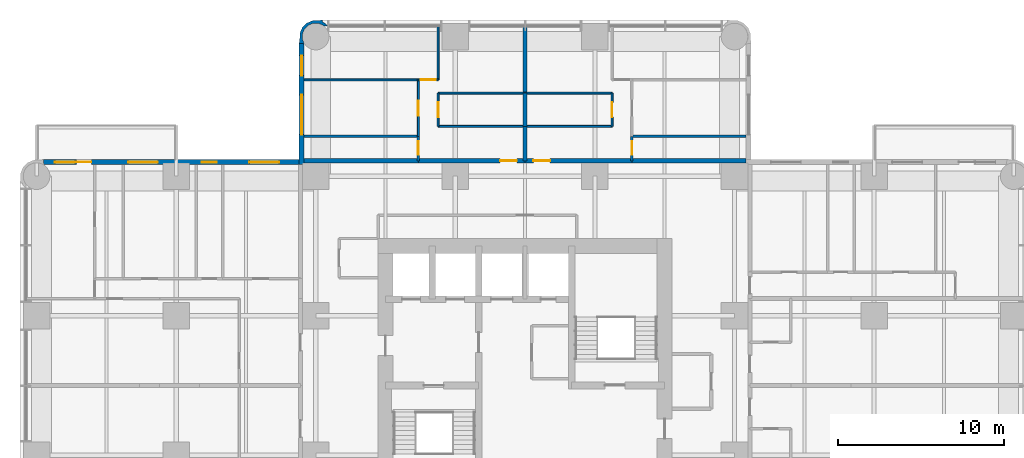
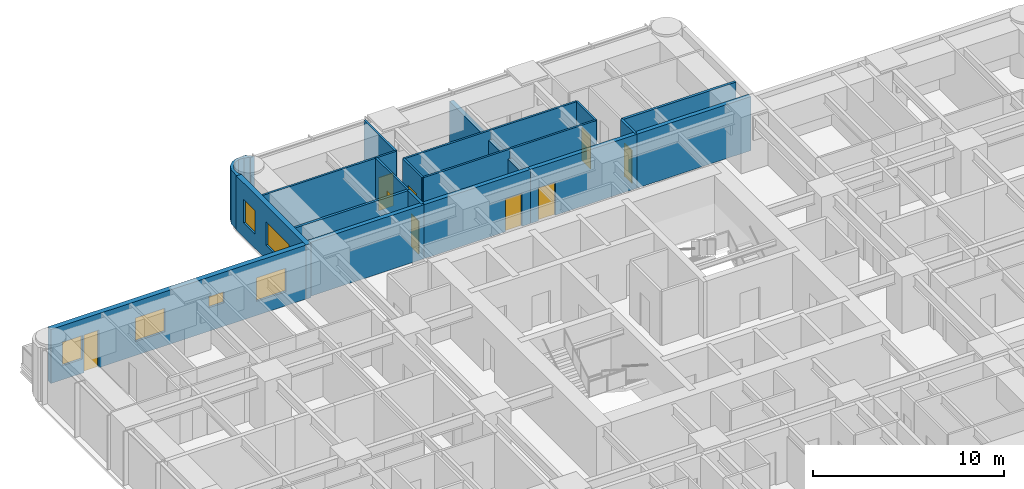
# One storey, part 11 of 14: 24 walls, 9 doors, 6 windows, 15 openings.
"""IFC4 building model written with IfcOpenShell, lengths in metres."""

from ifc_helpers import new_model, si_unit, direction, frame, frame_2d, origin, place, context, subcontext, project, spatial, polyline, rectangle, outline, extrude, material, layer, layer_set, type_object, element, fill, save


model = new_model("IFC4")

# Units and contexts
model_context = context("Model", 3, precision=1e-05, world=origin(), true_north=direction((0.0, 1.0)))
body_context = subcontext(model_context, "Body", "Model", "MODEL_VIEW")
ifc_project = project(units=[si_unit("LENGTHUNIT", "METRE"), si_unit("AREAUNIT", "SQUARE_METRE"), si_unit("VOLUMEUNIT", "CUBIC_METRE"), si_unit("PLANEANGLEUNIT", "RADIAN"), si_unit("MASSUNIT", "GRAM", prefix="KILO")], contexts=[model_context])

# Site, building, storey
site_placement = place(None, origin())
site = spatial("IfcSite", under=ifc_project, at=site_placement, CompositionType="ELEMENT")
building_placement = place(site_placement, origin())
building = spatial("IfcBuilding", under=site, at=building_placement, Name="Torre Alcanfor", CompositionType="ELEMENT")
storey_placement = place(building_placement, frame((0.0, 0.0, 159.300048828125)))
storey = spatial("IfcBuildingStorey", under=building, at=storey_placement, Name="L41", CompositionType="ELEMENT", Elevation=159.300048828125)

# Wall, opening, door
ifc_material_1 = material(Name="Concrete block masonry, hollow blocks NMX-C-404 9 MPa", Category="masonry")
ifc_layer_1 = layer(ifc_material_1, 0.25)
ifc_layer_set_1 = layer_set([ifc_layer_1], Name="Apartment entrance wall 250 EI 60")
wall_type_1 = type_object("IfcWallType", Name="Apartment entrance wall 250 EI 60", PredefinedType="PARTITIONING", material=ifc_layer_set_1)
wall_1_placement = place(storey_placement, frame((22.970947265625, 42.925048828125, 0.0), z_axis=(0.0, 0.0, 1.0), x_axis=(1.0, 0.0, 0.0)))
wall_1 = element("IfcWall", 1, at=wall_1_placement, inside=storey, type_object=wall_type_1, Name="Partition L41-CORR / L41-N1-LIVING", PredefinedType="PARTITIONING", context=body_context, shape_type="SweptSolid", body=[
    extrude(rectangle(XDim=6.428955078125, YDim=0.25, at=frame_2d((3.21435546875, 0.0))), origin(), (0.0, 0.0, 1.0), 3.449951171875),
])
opening_1_placement = place(wall_1_placement, frame((4.928955078125, 0.0, 0.0)))
opening_1 = element("IfcOpeningElement", 2, at=opening_1_placement, cuts=wall_1, Name="Opening D-A1", PredefinedType="OPENING", context=body_context, shape_type="SweptSolid", body=[
    extrude(rectangle(XDim=1.0, YDim=2.10009765625, at=frame_2d((0.5, 1.050048828125))), frame((0.0, 0.135009765625, 0.0), z_axis=(0.0, -1.0, 0.0), x_axis=(1.0, 0.0, 0.0)), (0.0, 0.0, 1.0), 0.27001953125),
])
ifc_material_2 = material(Name="Galvanised steel sheet ASTM A653", Category="steel")
door_type_1 = type_object("IfcDoorType", Name="Apartment entrance door FD60 1000x2100", OperationType="SINGLE_SWING_LEFT", PredefinedType="DOOR", material=ifc_material_2)
door_1_placement = place(opening_1_placement, origin())
door_1 = element("IfcDoor", 3, at=door_1_placement, inside=storey, type_object=door_type_1, Name="Apartment entrance L41-N1", OperationType="SINGLE_SWING_RIGHT", OverallHeight=2.10009765625, OverallWidth=1.0, PredefinedType="DOOR", context=body_context, shape_type="SweptSolid", body=[
    extrude(rectangle(XDim=1.0, YDim=2.10009765625, at=frame_2d((0.5, 1.050048828125))), frame((0.0, 0.02490234375, 0.0), z_axis=(0.0, -1.0, 0.0), x_axis=(1.0, 0.0, 0.0)), (0.0, 0.0, 1.0), 0.050048828125),
])
fill(opening_1, door_1)

# Wall
wall_2_placement = place(storey_placement, frame((16.10009765625, 42.925048828125, 0.0), z_axis=(0.0, 0.0, 1.0), x_axis=(1.0, 0.0, 0.0)))
element("IfcWall", 4, at=wall_2_placement, inside=storey, type_object=wall_type_1, Name="Partition L41-CORR / L41-N1-BATH", PredefinedType="PARTITIONING", context=body_context, shape_type="SweptSolid", body=[
    extrude(rectangle(XDim=6.870849609375, YDim=0.25, at=frame_2d((3.435546875, 0.0))), origin(), (0.0, 0.0, 1.0), 3.449951171875),
])

# Wall, opening, door
wall_3_placement = place(storey_placement, frame((29.39990234375, 42.925048828125, 0.0), z_axis=(0.0, 0.0, 1.0), x_axis=(1.0, 0.0, 0.0)))
wall_3 = element("IfcWall", 5, at=wall_3_placement, inside=storey, type_object=wall_type_1, Name="Partition L41-CORR / L41-N2-LIVING", PredefinedType="PARTITIONING", context=body_context, shape_type="SweptSolid", body=[
    extrude(rectangle(XDim=6.42919921875, YDim=0.25, at=frame_2d((3.214599609375, 0.0))), origin(), (0.0, 0.0, 1.0), 3.449951171875),
])
opening_2_placement = place(wall_3_placement, frame((0.5, 0.0, 0.0)))
opening_2 = element("IfcOpeningElement", 6, at=opening_2_placement, cuts=wall_3, Name="Opening D-A1", PredefinedType="OPENING", context=body_context, shape_type="SweptSolid", body=[
    extrude(rectangle(XDim=1.0, YDim=2.10009765625, at=frame_2d((0.5, 1.050048828125))), frame((0.0, 0.135009765625, 0.0), z_axis=(0.0, -1.0, 0.0), x_axis=(1.0, 0.0, 0.0)), (0.0, 0.0, 1.0), 0.27001953125),
])
door_2_placement = place(opening_2_placement, origin())
door_2 = element("IfcDoor", 7, at=door_2_placement, inside=storey, type_object=door_type_1, Name="Apartment entrance L41-N2", OperationType="SINGLE_SWING_LEFT", OverallHeight=2.10009765625, OverallWidth=1.0, PredefinedType="DOOR", context=body_context, shape_type="SweptSolid", body=[
    extrude(rectangle(XDim=1.0, YDim=2.10009765625, at=frame_2d((0.5, 1.050048828125))), frame((0.0, 0.02490234375, 0.0), z_axis=(0.0, -1.0, 0.0), x_axis=(1.0, 0.0, 0.0)), (0.0, 0.0, 1.0), 0.050048828125),
])
fill(opening_2, door_2)

# Walls
wall_4_placement = place(storey_placement, frame((35.8291015625, 42.925048828125, 0.0), z_axis=(0.0, 0.0, 1.0), x_axis=(1.0, 0.0, 0.0)))
element("IfcWall", 8, at=wall_4_placement, inside=storey, type_object=wall_type_1, Name="Partition L41-CORR / L41-N2-BATH", PredefinedType="PARTITIONING", context=body_context, shape_type="SweptSolid", body=[
    extrude(rectangle(XDim=6.870849609375, YDim=0.25, at=frame_2d((3.435546875, 0.0))), origin(), (0.0, 0.0, 1.0), 3.449951171875),
])
ifc_material_3 = material(Name="Gypsum board on steel studs", Category="steel")
ifc_layer_2 = layer(ifc_material_3, 0.1201171875)
ifc_layer_set_2 = layer_set([ifc_layer_2], Name="Apartment partition 120")
wall_type_2 = type_object("IfcWallType", Name="Apartment partition 120", PredefinedType="PARTITIONING", material=ifc_layer_set_2)
wall_5_placement = place(storey_placement, frame((29.39990234375, 47.0, 0.0), z_axis=(0.0, 0.0, 1.0), x_axis=(-1.0, 0.0, 0.0)))
element("IfcWall", 9, at=wall_5_placement, inside=storey, type_object=wall_type_2, Name="Partition L41-N1-KITCHEN / L41-N1-LIVING", PredefinedType="PARTITIONING", context=body_context, shape_type="SweptSolid", body=[
    extrude(rectangle(XDim=5.22900390625, YDim=0.1201171875, at=frame_2d((2.614501953125, 0.0))), origin(), (0.0, 0.0, 1.0), 3.449951171875),
])

# Wall, opening, door
wall_6_placement = place(storey_placement, frame((24.1708984375, 47.0, 0.0), z_axis=(0.0, 0.0, 1.0), x_axis=(0.0, -1.0, 0.0)))
wall_6 = element("IfcWall", 10, at=wall_6_placement, inside=storey, type_object=wall_type_2, Name="Partition L41-N1-KITCHEN / L41-N1-LIVING", PredefinedType="PARTITIONING", context=body_context, shape_type="SweptSolid", body=[
    extrude(rectangle(XDim=2.0, YDim=0.1201171875, at=frame_2d((1.0, 0.0))), origin(), (0.0, 0.0, 1.0), 3.449951171875),
])
opening_3_placement = place(wall_6_placement, frame((0.550048828125, 0.0, 0.0)))
opening_3 = element("IfcOpeningElement", 11, at=opening_3_placement, cuts=wall_6, Name="Opening D-R1", PredefinedType="OPENING", context=body_context, shape_type="SweptSolid", body=[
    extrude(rectangle(XDim=0.89990234375, YDim=2.10009765625, at=frame_2d((0.449951171875, 1.050048828125))), frame((0.0, 0.070068359375, 0.0), z_axis=(0.0, -1.0, 0.0), x_axis=(1.0, 0.0, 0.0)), (0.0, 0.0, 1.0), 0.14013671875),
])
ifc_material_4 = material(Name="Timber", Category="wood")
door_type_2 = type_object("IfcDoorType", Name="Internal door 900x2100", OperationType="SINGLE_SWING_LEFT", PredefinedType="DOOR", material=ifc_material_4)
door_3_placement = place(opening_3_placement, origin())
door_3 = element("IfcDoor", 12, at=door_3_placement, inside=storey, type_object=door_type_2, Name="Door L41-N1 kitchen", OperationType="SINGLE_SWING_LEFT", OverallHeight=2.10009765625, OverallWidth=0.89990234375, PredefinedType="DOOR", context=body_context, shape_type="SweptSolid", body=[
    extrude(rectangle(XDim=0.89990234375, YDim=2.10009765625, at=frame_2d((0.449951171875, 1.050048828125))), frame((0.0, 0.02490234375, 0.0), z_axis=(0.0, -1.0, 0.0), x_axis=(1.0, 0.0, 0.0)), (0.0, 0.0, 1.0), 0.050048828125),
])
fill(opening_3, door_3)

# Wall
wall_7_placement = place(storey_placement, frame((24.1708984375, 45.0, 0.0), z_axis=(0.0, 0.0, 1.0), x_axis=(1.0, 0.0, 0.0)))
element("IfcWall", 13, at=wall_7_placement, inside=storey, type_object=wall_type_2, Name="Partition L41-N1-KITCHEN / L41-N1-LIVING", PredefinedType="PARTITIONING", context=body_context, shape_type="SweptSolid", body=[
    extrude(rectangle(XDim=5.22900390625, YDim=0.1201171875, at=frame_2d((2.614501953125, 0.0))), origin(), (0.0, 0.0, 1.0), 3.449951171875),
])

# Wall, opening, door
wall_8_placement = place(storey_placement, frame((22.970947265625, 44.39990234375, 0.0), z_axis=(0.0, 0.0, 1.0), x_axis=(0.0, 1.0, 0.0)))
wall_8 = element("IfcWall", 14, at=wall_8_placement, inside=storey, type_object=wall_type_2, Name="Partition L41-N1-LIVING / L41-N1-STUDY", PredefinedType="PARTITIONING", context=body_context, shape_type="SweptSolid", body=[
    extrude(rectangle(XDim=3.400146484375, YDim=0.1201171875, at=frame_2d((1.7001953125, 0.0))), origin(), (0.0, 0.0, 1.0), 3.449951171875),
])
opening_4_placement = place(wall_8_placement, frame((1.25, 0.0, 0.0)))
opening_4 = element("IfcOpeningElement", 15, at=opening_4_placement, cuts=wall_8, Name="Opening D-R1", PredefinedType="OPENING", context=body_context, shape_type="SweptSolid", body=[
    extrude(rectangle(XDim=0.89990234375, YDim=2.10009765625, at=frame_2d((0.449951171875, 1.050048828125))), frame((0.0, 0.070068359375, 0.0), z_axis=(0.0, -1.0, 0.0), x_axis=(1.0, 0.0, 0.0)), (0.0, 0.0, 1.0), 0.14013671875),
])
door_4_placement = place(opening_4_placement, origin())
door_4 = element("IfcDoor", 16, at=door_4_placement, inside=storey, type_object=door_type_2, Name="Door L41-N1 study", OperationType="SINGLE_SWING_LEFT", OverallHeight=2.10009765625, OverallWidth=0.89990234375, PredefinedType="DOOR", context=body_context, shape_type="SweptSolid", body=[
    extrude(rectangle(XDim=0.89990234375, YDim=2.10009765625, at=frame_2d((0.449951171875, 1.050048828125))), frame((0.0, 0.02490234375, 0.0), z_axis=(0.0, -1.0, 0.0), x_axis=(1.0, 0.0, 0.0)), (0.0, 0.0, 1.0), 0.050048828125),
])
fill(opening_4, door_4)

wall_9_placement = place(storey_placement, frame((22.970947265625, 47.800048828125, 0.0), z_axis=(0.0, 0.0, 1.0), x_axis=(1.0, 0.0, 0.0)))
wall_9 = element("IfcWall", 17, at=wall_9_placement, inside=storey, type_object=wall_type_2, Name="Partition L41-N1-LIVING / L41-N1-MASTER", PredefinedType="PARTITIONING", context=body_context, shape_type="SweptSolid", body=[
    extrude(rectangle(XDim=1.199951171875, YDim=0.1201171875, at=frame_2d((0.60009765625, 0.0))), origin(), (0.0, 0.0, 1.0), 3.449951171875),
])
opening_5_placement = place(wall_9_placement, frame((0.14892578125, 0.0, 0.0)))
opening_5 = element("IfcOpeningElement", 18, at=opening_5_placement, cuts=wall_9, Name="Opening D-R1", PredefinedType="OPENING", context=body_context, shape_type="SweptSolid", body=[
    extrude(rectangle(XDim=0.89990234375, YDim=2.10009765625, at=frame_2d((0.449951171875, 1.050048828125))), frame((0.0, 0.070068359375, 0.0), z_axis=(0.0, -1.0, 0.0), x_axis=(1.0, 0.0, 0.0)), (0.0, 0.0, 1.0), 0.14013671875),
])
door_5_placement = place(opening_5_placement, origin())
door_5 = element("IfcDoor", 19, at=door_5_placement, inside=storey, type_object=door_type_2, Name="Door L41-N1 master", OperationType="SINGLE_SWING_RIGHT", OverallHeight=2.10009765625, OverallWidth=0.89990234375, PredefinedType="DOOR", context=body_context, shape_type="SweptSolid", body=[
    extrude(rectangle(XDim=0.89990234375, YDim=2.10009765625, at=frame_2d((0.449951171875, 1.050048828125))), frame((0.0, 0.02490234375, 0.0), z_axis=(0.0, -1.0, 0.0), x_axis=(1.0, 0.0, 0.0)), (0.0, 0.0, 1.0), 0.050048828125),
])
fill(opening_5, door_5)

# Walls
wall_10_placement = place(storey_placement, frame((24.1708984375, 47.800048828125, 0.0), z_axis=(0.0, 0.0, 1.0), x_axis=(0.0, 1.0, 0.0)))
element("IfcWall", 20, at=wall_10_placement, inside=storey, type_object=wall_type_2, Name="Partition L41-N1-LIVING / L41-N1-MASTER", PredefinedType="PARTITIONING", context=body_context, shape_type="SweptSolid", body=[
    extrude(rectangle(XDim=3.25, YDim=0.1201171875, at=frame_2d((1.625, 0.0))), origin(), (0.0, 0.0, 1.0), 3.449951171875),
])
wall_11_placement = place(storey_placement, frame((22.970947265625, 47.800048828125, 0.0), z_axis=(0.0, 0.0, 1.0), x_axis=(-1.0, 0.0, 0.0)))
element("IfcWall", 21, at=wall_11_placement, inside=storey, type_object=wall_type_2, Name="Partition L41-N1-STUDY / L41-N1-MASTER", PredefinedType="PARTITIONING", context=body_context, shape_type="SweptSolid", body=[
    extrude(rectangle(XDim=6.870849609375, YDim=0.1201171875, at=frame_2d((3.435546875, 0.0))), origin(), (0.0, 0.0, 1.0), 3.449951171875),
])
wall_12_placement = place(storey_placement, frame((29.39990234375, 47.0, 0.0), z_axis=(0.0, 0.0, 1.0), x_axis=(1.0, 0.0, 0.0)))
element("IfcWall", 22, at=wall_12_placement, inside=storey, type_object=wall_type_2, Name="Partition L41-N2-KITCHEN / L41-N2-LIVING", PredefinedType="PARTITIONING", context=body_context, shape_type="SweptSolid", body=[
    extrude(rectangle(XDim=5.22900390625, YDim=0.1201171875, at=frame_2d((2.614501953125, 0.0))), origin(), (0.0, 0.0, 1.0), 3.449951171875),
])

# Wall, opening, door
wall_13_placement = place(storey_placement, frame((34.62890625, 47.0, 0.0), z_axis=(0.0, 0.0, 1.0), x_axis=(0.0, -1.0, 0.0)))
wall_13 = element("IfcWall", 23, at=wall_13_placement, inside=storey, type_object=wall_type_2, Name="Partition L41-N2-KITCHEN / L41-N2-LIVING", PredefinedType="PARTITIONING", context=body_context, shape_type="SweptSolid", body=[
    extrude(rectangle(XDim=2.0, YDim=0.1201171875, at=frame_2d((1.0, 0.0))), origin(), (0.0, 0.0, 1.0), 3.449951171875),
])
opening_6_placement = place(wall_13_placement, frame((0.550048828125, 0.0, 0.0)))
opening_6 = element("IfcOpeningElement", 24, at=opening_6_placement, cuts=wall_13, Name="Opening D-R1", PredefinedType="OPENING", context=body_context, shape_type="SweptSolid", body=[
    extrude(rectangle(XDim=0.89990234375, YDim=2.10009765625, at=frame_2d((0.449951171875, 1.050048828125))), frame((0.0, 0.070068359375, 0.0), z_axis=(0.0, -1.0, 0.0), x_axis=(1.0, 0.0, 0.0)), (0.0, 0.0, 1.0), 0.14013671875),
])
door_6_placement = place(opening_6_placement, frame((0.89990234375, 0.0, 0.0), z_axis=(0.0, 0.0, 1.0), x_axis=(-1.0, 0.0, 0.0)))
door_6 = element("IfcDoor", 25, at=door_6_placement, inside=storey, type_object=door_type_2, Name="Door L41-N2 kitchen", OperationType="SINGLE_SWING_RIGHT", OverallHeight=2.10009765625, OverallWidth=0.89990234375, PredefinedType="DOOR", context=body_context, shape_type="SweptSolid", body=[
    extrude(rectangle(XDim=0.89990234375, YDim=2.10009765625, at=frame_2d((0.449951171875, 1.050048828125))), frame((0.0, 0.025146484375, 0.0), z_axis=(0.0, -1.0, 0.0), x_axis=(1.0, 0.0, 0.0)), (0.0, 0.0, 1.0), 0.050048828125),
])
fill(opening_6, door_6)

# Wall
wall_14_placement = place(storey_placement, frame((34.62890625, 45.0, 0.0), z_axis=(0.0, 0.0, 1.0), x_axis=(-1.0, 0.0, 0.0)))
element("IfcWall", 26, at=wall_14_placement, inside=storey, type_object=wall_type_2, Name="Partition L41-N2-KITCHEN / L41-N2-LIVING", PredefinedType="PARTITIONING", context=body_context, shape_type="SweptSolid", body=[
    extrude(rectangle(XDim=5.22900390625, YDim=0.1201171875, at=frame_2d((2.614501953125, 0.0))), origin(), (0.0, 0.0, 1.0), 3.449951171875),
])

# Wall, openings, door, windows
ifc_material_5 = material(Name="Limestone cladding", Category="masonry")
ifc_layer_3 = layer(ifc_material_5, 0.0400390625, Name="Facing")
ifc_material_6 = material(Name="Ventilated air cavity")
ifc_layer_4 = layer(ifc_material_6, 0.02001953125, ventilated=True, Name="Ventilated joint")
ifc_material_7 = material(Name="Mineral wool insulation", Category="insulation")
ifc_layer_5 = layer(ifc_material_7, 0.10009765625, Name="Insulation")
ifc_material_8 = material(Name="Concrete f'c 35 MPa", Category="concrete")
ifc_layer_6 = layer(ifc_material_8, 0.139892578125, Name="Backing")
ifc_layer_set_3 = layer_set([ifc_layer_3, ifc_layer_4, ifc_layer_5, ifc_layer_6], Name="External wall stone-clad 300")
wall_type_3 = type_object("IfcWallType", Name="External wall stone-clad 300", PredefinedType="SOLIDWALL", material=ifc_layer_set_3)
wall_15_placement = place(storey_placement, frame((15.800048828125, 42.85009765625, 0.0), z_axis=(0.0, 0.0, 1.0), x_axis=(-1.0, 0.0, 0.0)))
wall_15 = element("IfcWall", 27, at=wall_15_placement, inside=storey, type_object=wall_type_3, Name="External wall L41 1", PredefinedType="SOLIDWALL", context=body_context, shape_type="SweptSolid", body=[
    extrude(rectangle(XDim=15.400146484375, YDim=0.300048828125, at=frame_2d((7.7001953125, 0.0))), origin(), (0.0, 0.0, 1.0), 3.449951171875),
])
opening_7_placement = place(wall_15_placement, frame((1.199951171875, 0.0, 0.89990234375)))
opening_7 = element("IfcOpeningElement", 28, at=opening_7_placement, cuts=wall_15, Name="Opening W2", PredefinedType="OPENING", context=body_context, shape_type="SweptSolid", body=[
    extrude(rectangle(XDim=1.800048828125, YDim=1.5, at=frame_2d((0.89990234375, 0.75))), frame((0.0, 0.159912109375, 0.0), z_axis=(0.0, -1.0, 0.0), x_axis=(1.0, 0.0, 0.0)), (0.0, 0.0, 1.0), 0.320068359375),
])
opening_8_placement = place(wall_15_placement, frame((4.949951171875, 0.0, 1.5)))
opening_8 = element("IfcOpeningElement", 29, at=opening_8_placement, cuts=wall_15, Name="Opening W3", PredefinedType="OPENING", context=body_context, shape_type="SweptSolid", body=[
    extrude(rectangle(XDim=0.89990234375, YDim=0.699951171875, at=frame_2d((0.449951171875, 0.35009765625))), frame((0.0, 0.159912109375, 0.0), z_axis=(0.0, -1.0, 0.0), x_axis=(1.0, 0.0, 0.0)), (0.0, 0.0, 1.0), 0.320068359375),
])
opening_9_placement = place(wall_15_placement, frame((8.5, 0.0, 0.89990234375)))
opening_9 = element("IfcOpeningElement", 30, at=opening_9_placement, cuts=wall_15, Name="Opening W2", PredefinedType="OPENING", context=body_context, shape_type="SweptSolid", body=[
    extrude(rectangle(XDim=1.800048828125, YDim=1.5, at=frame_2d((0.89990234375, 0.75))), frame((0.0, 0.159912109375, 0.0), z_axis=(0.0, -1.0, 0.0), x_axis=(1.0, 0.0, 0.0)), (0.0, 0.0, 1.0), 0.320068359375),
])
opening_10_placement = place(wall_15_placement, frame((12.5, 0.0, 0.0)))
opening_10 = element("IfcOpeningElement", 31, at=opening_10_placement, cuts=wall_15, Name="Opening D-B1", PredefinedType="OPENING", context=body_context, shape_type="SweptSolid", body=[
    extrude(rectangle(XDim=0.89990234375, YDim=2.39990234375, at=frame_2d((0.449951171875, 1.199951171875))), frame((0.0, 0.159912109375, 0.0), z_axis=(0.0, -1.0, 0.0), x_axis=(1.0, 0.0, 0.0)), (0.0, 0.0, 1.0), 0.320068359375),
])
opening_11_placement = place(wall_15_placement, frame((13.5, 0.0, 0.89990234375)))
opening_11 = element("IfcOpeningElement", 32, at=opening_11_placement, cuts=wall_15, Name="Opening W4", PredefinedType="OPENING", context=body_context, shape_type="SweptSolid", body=[
    extrude(rectangle(XDim=1.199951171875, YDim=1.5, at=frame_2d((0.60009765625, 0.75))), frame((0.0, 0.159912109375, 0.0), z_axis=(0.0, -1.0, 0.0), x_axis=(1.0, 0.0, 0.0)), (0.0, 0.0, 1.0), 0.320068359375),
])
ifc_material_9 = material(Name="Aluminium and glass", Category="aluminium")
door_type_3 = type_object("IfcDoorType", Name="Balcony door glazed 900x2400", OperationType="SINGLE_SWING_LEFT", PredefinedType="DOOR", material=ifc_material_9)
door_7_placement = place(opening_10_placement, origin())
door_7 = element("IfcDoor", 33, at=door_7_placement, inside=storey, type_object=door_type_3, Name="Balcony door L41-W2", OperationType="SINGLE_SWING_LEFT", OverallHeight=2.39990234375, OverallWidth=0.89990234375, PredefinedType="DOOR", context=body_context, shape_type="SweptSolid", body=[
    extrude(rectangle(XDim=0.89990234375, YDim=2.39990234375, at=frame_2d((0.449951171875, 1.199951171875))), frame((0.0, 0.02490234375, 0.0), z_axis=(0.0, -1.0, 0.0), x_axis=(1.0, 0.0, 0.0)), (0.0, 0.0, 1.0), 0.050048828125),
])
fill(opening_10, door_7)
ifc_material_10 = material(Name="Aluminium frame with clear double glazing", Category="aluminium")
window_type_1 = type_object("IfcWindowType", Name="Window bathroom 900x700", PartitioningType="SINGLE_PANEL", PredefinedType="WINDOW", material=ifc_material_10)
window_1_placement = place(opening_8_placement, origin())
window_1 = element("IfcWindow", 34, at=window_1_placement, inside=storey, type_object=window_type_1, Name="Window W3 L41-W2", OverallHeight=0.699951171875, OverallWidth=0.89990234375, PartitioningType="SINGLE_PANEL", PredefinedType="WINDOW", context=body_context, shape_type="SweptSolid", body=[
    extrude(rectangle(XDim=0.89990234375, YDim=0.699951171875, at=frame_2d((0.449951171875, 0.35009765625))), frame((0.0, 0.030029296875, 0.0), z_axis=(0.0, -1.0, 0.0), x_axis=(1.0, 0.0, 0.0)), (0.0, 0.0, 1.0), 0.06005859375),
])
fill(opening_8, window_1)
ifc_material_11 = material(Name="Aluminium frame with clear double glazing", Category="aluminium")
window_type_2 = type_object("IfcWindowType", Name="Window bedroom 1200x1500", PartitioningType="SINGLE_PANEL", PredefinedType="WINDOW", material=ifc_material_11)
window_2_placement = place(opening_11_placement, origin())
window_2 = element("IfcWindow", 35, at=window_2_placement, inside=storey, type_object=window_type_2, Name="Window W4 L41-W2", OverallHeight=1.5, OverallWidth=1.199951171875, PartitioningType="SINGLE_PANEL", PredefinedType="WINDOW", context=body_context, shape_type="SweptSolid", body=[
    extrude(rectangle(XDim=1.199951171875, YDim=1.5, at=frame_2d((0.60009765625, 0.75))), frame((0.0, 0.030029296875, 0.0), z_axis=(0.0, -1.0, 0.0), x_axis=(1.0, 0.0, 0.0)), (0.0, 0.0, 1.0), 0.06005859375),
])
fill(opening_11, window_2)
ifc_material_12 = material(Name="Aluminium frame with clear double glazing", Category="aluminium")
window_type_3 = type_object("IfcWindowType", Name="Window bedroom 1800x1500", PartitioningType="SINGLE_PANEL", PredefinedType="WINDOW", material=ifc_material_12)
window_3_placement = place(opening_7_placement, origin())
window_3 = element("IfcWindow", 36, at=window_3_placement, inside=storey, type_object=window_type_3, Name="Window W2 L41-W2", OverallHeight=1.5, OverallWidth=1.800048828125, PartitioningType="SINGLE_PANEL", PredefinedType="WINDOW", context=body_context, shape_type="SweptSolid", body=[
    extrude(rectangle(XDim=1.800048828125, YDim=1.5, at=frame_2d((0.89990234375, 0.75))), frame((0.0, 0.030029296875, 0.0), z_axis=(0.0, -1.0, 0.0), x_axis=(1.0, 0.0, 0.0)), (0.0, 0.0, 1.0), 0.06005859375),
])
fill(opening_7, window_3)
window_4_placement = place(opening_9_placement, origin())
window_4 = element("IfcWindow", 37, at=window_4_placement, inside=storey, type_object=window_type_3, Name="Window W2 L41-W2", OverallHeight=1.5, OverallWidth=1.800048828125, PartitioningType="SINGLE_PANEL", PredefinedType="WINDOW", context=body_context, shape_type="SweptSolid", body=[
    extrude(rectangle(XDim=1.800048828125, YDim=1.5, at=frame_2d((0.89990234375, 0.75))), frame((0.0, 0.030029296875, 0.0), z_axis=(0.0, -1.0, 0.0), x_axis=(1.0, 0.0, 0.0)), (0.0, 0.0, 1.0), 0.06005859375),
])
fill(opening_9, window_4)

# Wall, openings, windows
wall_16_placement = place(storey_placement, frame((15.949951171875, 50.0, 0.0), z_axis=(0.0, 0.0, 1.0), x_axis=(0.0, -1.0, 0.0)))
wall_16 = element("IfcWall", 38, at=wall_16_placement, inside=storey, type_object=wall_type_3, Name="External wall L41 12", PredefinedType="SOLIDWALL", context=body_context, shape_type="SweptSolid", body=[
    extrude(rectangle(XDim=7.300048828125, YDim=0.300048828125, at=frame_2d((3.64990234375, 0.0))), origin(), (0.0, 0.0, 1.0), 3.449951171875),
])
opening_12_placement = place(wall_16_placement, frame((3.10009765625, 0.0, 0.89990234375)))
opening_12 = element("IfcOpeningElement", 39, at=opening_12_placement, cuts=wall_16, Name="Opening W1", PredefinedType="OPENING", context=body_context, shape_type="SweptSolid", body=[
    extrude(rectangle(XDim=2.39990234375, YDim=1.5, at=frame_2d((1.199951171875, 0.75))), frame((0.0, 0.159912109375, 0.0), z_axis=(0.0, -1.0, 0.0), x_axis=(1.0, 0.0, 0.0)), (0.0, 0.0, 1.0), 0.320068359375),
])
opening_13_placement = place(wall_16_placement, frame((0.75, 0.0, 0.89990234375)))
opening_13 = element("IfcOpeningElement", 40, at=opening_13_placement, cuts=wall_16, Name="Opening W4", PredefinedType="OPENING", context=body_context, shape_type="SweptSolid", body=[
    extrude(rectangle(XDim=1.199951171875, YDim=1.5, at=frame_2d((0.60009765625, 0.75))), frame((0.0, 0.159912109375, 0.0), z_axis=(0.0, -1.0, 0.0), x_axis=(1.0, 0.0, 0.0)), (0.0, 0.0, 1.0), 0.320068359375),
])
window_5_placement = place(opening_13_placement, origin())
window_5 = element("IfcWindow", 41, at=window_5_placement, inside=storey, type_object=window_type_2, Name="Window W4 L41-N1", OverallHeight=1.5, OverallWidth=1.199951171875, PartitioningType="SINGLE_PANEL", PredefinedType="WINDOW", context=body_context, shape_type="SweptSolid", body=[
    extrude(rectangle(XDim=1.199951171875, YDim=1.5, at=frame_2d((0.60009765625, 0.75))), frame((0.0, 0.030029296875, 0.0), z_axis=(0.0, -1.0, 0.0), x_axis=(1.0, 0.0, 0.0)), (0.0, 0.0, 1.0), 0.06005859375),
])
fill(opening_13, window_5)
ifc_material_13 = material(Name="Aluminium frame with clear double glazing", Category="aluminium")
window_type_4 = type_object("IfcWindowType", Name="Window bedroom 2400x1500", PartitioningType="SINGLE_PANEL", PredefinedType="WINDOW", material=ifc_material_13)
window_6_placement = place(opening_12_placement, origin())
window_6 = element("IfcWindow", 42, at=window_6_placement, inside=storey, type_object=window_type_4, Name="Window W1 L41-N1", OverallHeight=1.5, OverallWidth=2.39990234375, PartitioningType="SINGLE_PANEL", PredefinedType="WINDOW", context=body_context, shape_type="SweptSolid", body=[
    extrude(rectangle(XDim=2.39990234375, YDim=1.5, at=frame_2d((1.199951171875, 0.75))), frame((0.0, 0.030029296875, 0.0), z_axis=(0.0, -1.0, 0.0), x_axis=(1.0, 0.0, 0.0)), (0.0, 0.0, 1.0), 0.06005859375),
])
fill(opening_12, window_6)

# Walls
ifc_material_14 = material(Name="Concrete block masonry, hollow blocks NMX-C-404 9 MPa", Category="masonry")
ifc_layer_7 = layer(ifc_material_14, 0.25)
ifc_layer_set_4 = layer_set([ifc_layer_7], Name="Party wall 250 EI 60")
wall_type_4 = type_object("IfcWallType", Name="Party wall 250 EI 60", PredefinedType="PARTITIONING", material=ifc_layer_set_4)
wall_17_placement = place(storey_placement, frame((29.39990234375, 45.0, 0.0), z_axis=(0.0, 0.0, 1.0), x_axis=(0.0, 1.0, 0.0)))
element("IfcWall", 43, at=wall_17_placement, inside=storey, type_object=wall_type_4, Name="Partition L41-N1-KITCHEN / L41-N2-KITCHEN", PredefinedType="PARTITIONING", context=body_context, shape_type="SweptSolid", body=[
    extrude(rectangle(XDim=2.0, YDim=0.25, at=frame_2d((1.0, 0.0))), origin(), (0.0, 0.0, 1.0), 2.847900390625),
])
wall_18_placement = place(storey_placement, frame((29.39990234375, 45.0, 0.0), z_axis=(0.0, 0.0, 1.0), x_axis=(0.0, -1.0, 0.0)))
element("IfcWall", 44, at=wall_18_placement, inside=storey, type_object=wall_type_4, Name="Partition L41-N1-LIVING / L41-N2-LIVING", PredefinedType="PARTITIONING", context=body_context, shape_type="SweptSolid", body=[
    extrude(rectangle(XDim=2.074951171875, YDim=0.25, at=frame_2d((1.03759765625, 0.0))), origin(), (0.0, 0.0, 1.0), 2.847900390625),
])
wall_19_placement = place(storey_placement, frame((29.39990234375, 51.050048828125, 0.0), z_axis=(0.0, 0.0, 1.0), x_axis=(0.0, -1.0, 0.0)))
element("IfcWall", 45, at=wall_19_placement, inside=storey, type_object=wall_type_4, Name="Partition L41-N1-LIVING / L41-N2-LIVING", PredefinedType="PARTITIONING", context=body_context, shape_type="SweptSolid", body=[
    extrude(rectangle(XDim=4.050048828125, YDim=0.25, at=frame_2d((2.02490234375, 0.0))), origin(), (0.0, 0.0, 1.0), 2.847900390625),
])
ifc_layer_8 = layer(ifc_material_5, 0.0400390625, Name="Facing")
ifc_layer_9 = layer(ifc_material_6, 0.02001953125, ventilated=True, Name="Ventilated joint")
ifc_layer_10 = layer(ifc_material_7, 0.10009765625, Name="Insulation")
ifc_layer_11 = layer(ifc_material_8, 0.139892578125, Name="Backing")
ifc_layer_set_5 = layer_set([ifc_layer_8, ifc_layer_9, ifc_layer_10, ifc_layer_11], Name="Rounded corner pier stone-clad 300")
wall_type_5 = type_object("IfcWallType", Name="Rounded corner pier stone-clad 300", PredefinedType="SOLIDWALL", material=ifc_layer_set_5)
wall_20_placement = place(storey_placement, frame((17.448071802, 50.995317512, 0.0), z_axis=(0.0, 0.0, 1.0), x_axis=(-0.343276641956, 0.93923434088, 0.0)))
element("IfcWall", 46, at=wall_20_placement, inside=storey, type_object=wall_type_5, Name="Corner pier L41 20", PredefinedType="SOLIDWALL", context=body_context, shape_type="SweptSolid", body=[
    extrude(outline(polyline([(0.24108059829103723, 0.022959620234629247), (0.3334805428319213, 0.12357557552177408), (0.4651739844878831, 0.09415889406460926), (0.5320540980205655, 0.3930753034134802), (0.6306958479185591, 0.6629675932609465), (0.6144442310825087, 1.0445145490965344), (0.4535240125743382, 1.3908175635047577), (0.17229496211504458, 1.6490443416962495), (-0.0975973277324218, 1.7476860915942432), (-0.36910859501107685, 1.8895490248211664), (-0.5092558011112671, 1.6213097208797382), (-0.4906820751319597, 1.6145212911926206), (-0.47934485608116756, 1.6085581501360122), (-0.21131694537408713, 1.6200307736528514), (0.0879264176258649, 1.5106616286937335), (0.32264848080083985, 1.2951661291093102), (0.4569426595377669, 1.0061627997252323), (0.4702938084391308, 0.6878005781830546), (0.3609246634800129, 0.3885572151831026), (0.1454291638955897, 0.15383515200812764), (0.10816871297824923, 0.136520951282565), (0.030981753202503952, -0.0746691922599299), (0.24108059829103723, 0.022959620234629247)])), origin(), (0.0, 0.0, 1.0), 3.449951171875),
])

# Wall, opening, door
ifc_material_15 = material(Name="Cement board on steel studs", Category="steel")
ifc_layer_12 = layer(ifc_material_15, 0.14990234375)
ifc_layer_set_6 = layer_set([ifc_layer_12], Name="Wet area partition 150")
wall_type_6 = type_object("IfcWallType", Name="Wet area partition 150", PredefinedType="PARTITIONING", material=ifc_layer_set_6)
wall_21_placement = place(storey_placement, frame((22.970947265625, 42.925048828125, 0.0), z_axis=(0.0, 0.0, 1.0), x_axis=(0.0, 1.0, 0.0)))
wall_21 = element("IfcWall", 47, at=wall_21_placement, inside=storey, type_object=wall_type_6, Name="Partition L41-N1-LIVING / L41-N1-BATH", PredefinedType="PARTITIONING", context=body_context, shape_type="SweptSolid", body=[
    extrude(rectangle(XDim=1.474853515625, YDim=0.14990234375, at=frame_2d((0.7373046875, 0.0))), origin(), (0.0, 0.0, 1.0), 3.449951171875),
])
opening_14_placement = place(wall_21_placement, frame((0.375, 0.0, 0.0)))
opening_14 = element("IfcOpeningElement", 48, at=opening_14_placement, cuts=wall_21, Name="Opening D-R2", PredefinedType="OPENING", context=body_context, shape_type="SweptSolid", body=[
    extrude(rectangle(XDim=0.800048828125, YDim=2.10009765625, at=frame_2d((0.39990234375, 1.050048828125))), frame((0.0, 0.0849609375, 0.0), z_axis=(0.0, -1.0, 0.0), x_axis=(1.0, 0.0, 0.0)), (0.0, 0.0, 1.0), 0.169921875),
])
ifc_material_16 = material(Name="Timber", Category="wood")
door_type_4 = type_object("IfcDoorType", Name="Bathroom door 800x2100", OperationType="SINGLE_SWING_LEFT", PredefinedType="DOOR", material=ifc_material_16)
door_8_placement = place(opening_14_placement, origin())
door_8 = element("IfcDoor", 49, at=door_8_placement, inside=storey, type_object=door_type_4, Name="Door L41-N1 bath", OperationType="SINGLE_SWING_RIGHT", OverallHeight=2.10009765625, OverallWidth=0.800048828125, PredefinedType="DOOR", context=body_context, shape_type="SweptSolid", body=[
    extrude(rectangle(XDim=0.800048828125, YDim=2.10009765625, at=frame_2d((0.39990234375, 1.050048828125))), frame((0.0, 0.02490234375, 0.0), z_axis=(0.0, -1.0, 0.0), x_axis=(1.0, 0.0, 0.0)), (0.0, 0.0, 1.0), 0.050048828125),
])
fill(opening_14, door_8)

# Wall
wall_22_placement = place(storey_placement, frame((22.970947265625, 44.39990234375, 0.0), z_axis=(0.0, 0.0, 1.0), x_axis=(-1.0, 0.0, 0.0)))
element("IfcWall", 50, at=wall_22_placement, inside=storey, type_object=wall_type_6, Name="Partition L41-N1-BATH / L41-N1-STUDY", PredefinedType="PARTITIONING", context=body_context, shape_type="SweptSolid", body=[
    extrude(rectangle(XDim=6.870849609375, YDim=0.14990234375, at=frame_2d((3.435546875, 0.0))), origin(), (0.0, 0.0, 1.0), 3.449951171875),
])

# Wall, opening, door
wall_23_placement = place(storey_placement, frame((35.8291015625, 44.39990234375, 0.0), z_axis=(0.0, 0.0, 1.0), x_axis=(0.0, -1.0, 0.0)))
wall_23 = element("IfcWall", 51, at=wall_23_placement, inside=storey, type_object=wall_type_6, Name="Partition L41-N2-LIVING / L41-N2-BATH", PredefinedType="PARTITIONING", context=body_context, shape_type="SweptSolid", body=[
    extrude(rectangle(XDim=1.474853515625, YDim=0.14990234375, at=frame_2d((0.7373046875, 0.0))), origin(), (0.0, 0.0, 1.0), 3.449951171875),
])
opening_15_placement = place(wall_23_placement, frame((0.300048828125, 0.0, 0.0)))
opening_15 = element("IfcOpeningElement", 52, at=opening_15_placement, cuts=wall_23, Name="Opening D-R2", PredefinedType="OPENING", context=body_context, shape_type="SweptSolid", body=[
    extrude(rectangle(XDim=0.800048828125, YDim=2.10009765625, at=frame_2d((0.39990234375, 1.050048828125))), frame((0.0, 0.0849609375, 0.0), z_axis=(0.0, -1.0, 0.0), x_axis=(1.0, 0.0, 0.0)), (0.0, 0.0, 1.0), 0.169921875),
])
door_9_placement = place(opening_15_placement, origin())
door_9 = element("IfcDoor", 53, at=door_9_placement, inside=storey, type_object=door_type_4, Name="Door L41-N2 bath", OperationType="SINGLE_SWING_LEFT", OverallHeight=2.10009765625, OverallWidth=0.800048828125, PredefinedType="DOOR", context=body_context, shape_type="SweptSolid", body=[
    extrude(rectangle(XDim=0.800048828125, YDim=2.10009765625, at=frame_2d((0.39990234375, 1.050048828125))), frame((0.0, 0.02490234375, 0.0), z_axis=(0.0, -1.0, 0.0), x_axis=(1.0, 0.0, 0.0)), (0.0, 0.0, 1.0), 0.050048828125),
])
fill(opening_15, door_9)

# Wall
wall_24_placement = place(storey_placement, frame((35.8291015625, 44.39990234375, 0.0), z_axis=(0.0, 0.0, 1.0), x_axis=(1.0, 0.0, 0.0)))
element("IfcWall", 54, at=wall_24_placement, inside=storey, type_object=wall_type_6, Name="Partition L41-N2-BATH / L41-N2-STUDY", PredefinedType="PARTITIONING", context=body_context, shape_type="SweptSolid", body=[
    extrude(rectangle(XDim=6.870849609375, YDim=0.14990234375, at=frame_2d((3.435546875, 0.0))), origin(), (0.0, 0.0, 1.0), 3.449951171875),
])

save(model, "model.ifc")
